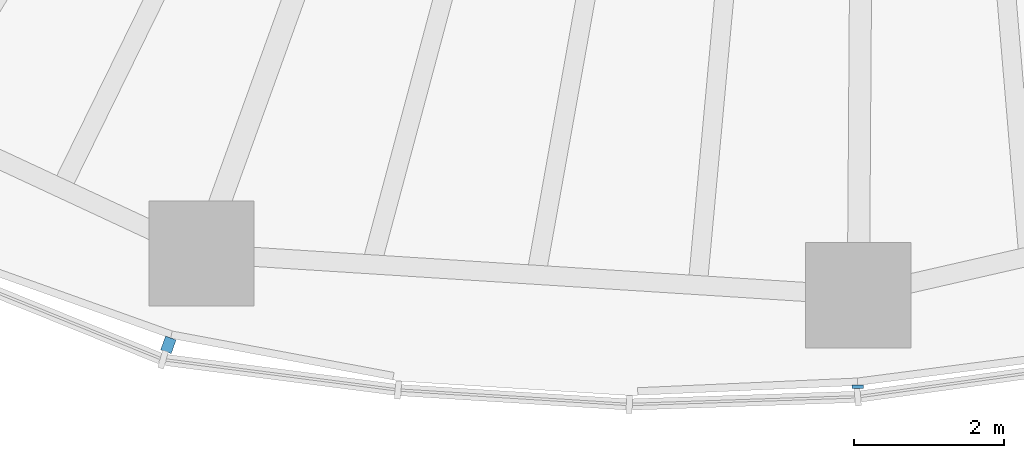
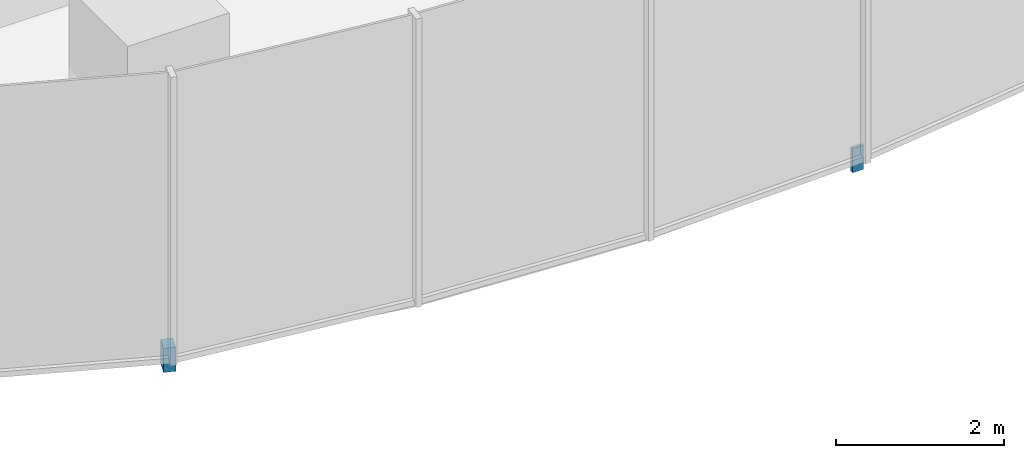
# One storey, part 12 of 18: 2 discrete accessories.
"""IFC4 building model written with IfcOpenShell, lengths in metres."""

from ifc_helpers import new_model, si_unit, direction, frame, origin, origin_2d, place, context, subcontext, project, spatial, rectangle, extrude, material, type_object, element, save


model = new_model("IFC4")

# Units and contexts
model_context = context("Model", 3, precision=1e-05, world=origin(), true_north=direction((0.0, 1.0)))
body_context = subcontext(model_context, "Body", "Model", "MODEL_VIEW")
ifc_project = project(units=[si_unit("LENGTHUNIT", "METRE"), si_unit("AREAUNIT", "SQUARE_METRE"), si_unit("VOLUMEUNIT", "CUBIC_METRE"), si_unit("PLANEANGLEUNIT", "RADIAN"), si_unit("MASSUNIT", "GRAM", prefix="KILO")], contexts=[model_context])

# Site, building, storey
site_placement = place(None, origin())
site = spatial("IfcSite", under=ifc_project, at=site_placement, CompositionType="ELEMENT")
building_placement = place(site_placement, origin())
building = spatial("IfcBuilding", under=site, at=building_placement, Name="Ghaith Harvest Tower", CompositionType="ELEMENT")
storey_placement = place(building_placement, frame((0.0, 0.0, 159.60009765625)))
storey = spatial("IfcBuildingStorey", under=building, at=storey_placement, Name="L34", CompositionType="ELEMENT", Elevation=159.60009765625)

# Discrete accessories
ifc_material_1 = material(Name="Stainless steel grade 1.4401", Category="steel")
discrete_accessory_type_1 = type_object("IfcDiscreteAccessoryType", Name="CURTAIN WALL BRACKET 195", PredefinedType="BRACKET", material=ifc_material_1)
discrete_accessory_1_placement = place(storey_placement, frame((-9.348388671875, -25.883544921875, -0.250244140625), z_axis=(0.0, 0.0, 1.0), x_axis=(-0.33969945263, -0.940534040789, 0.0)))
element("IfcDiscreteAccessory", 1, at=discrete_accessory_1_placement, inside=storey, type_object=discrete_accessory_type_1, Name="CW-L bracket 1 bay 15 L34", PredefinedType="BRACKET", context=body_context, shape_type="SweptSolid", body=[
    extrude(rectangle(XDim=0.195068359375, YDim=0.14990234375, at=origin_2d()), origin(), (0.0, 0.0, 1.0), 0.35009765625),
])
ifc_material_2 = material(Name="Stainless steel grade 1.4401", Category="steel")
discrete_accessory_type_2 = type_object("IfcDiscreteAccessoryType", Name="CURTAIN WALL BRACKET 45", PredefinedType="BRACKET", material=ifc_material_2)
discrete_accessory_2_placement = place(storey_placement, frame((-0.180908203125, -26.441162109375, -0.250244140625), z_axis=(0.0, 0.0, 1.0), x_axis=(-0.006843747957, -0.999976581283, 0.0)))
element("IfcDiscreteAccessory", 2, at=discrete_accessory_2_placement, inside=storey, type_object=discrete_accessory_type_2, Name="CW-L bracket 1 bay 16 L34", PredefinedType="BRACKET", context=body_context, shape_type="SweptSolid", body=[
    extrude(rectangle(XDim=0.044921875, YDim=0.14990234375, at=origin_2d()), origin(), (0.0, 0.0, 1.0), 0.35009765625),
])

save(model, "model.ifc")
